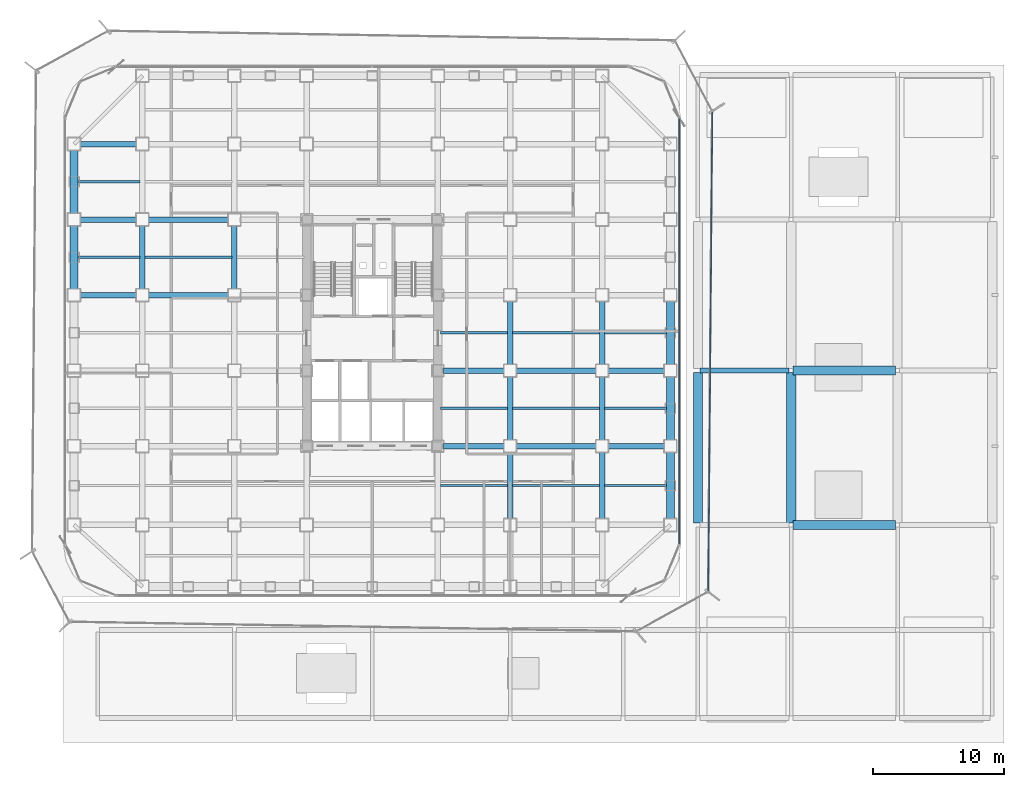
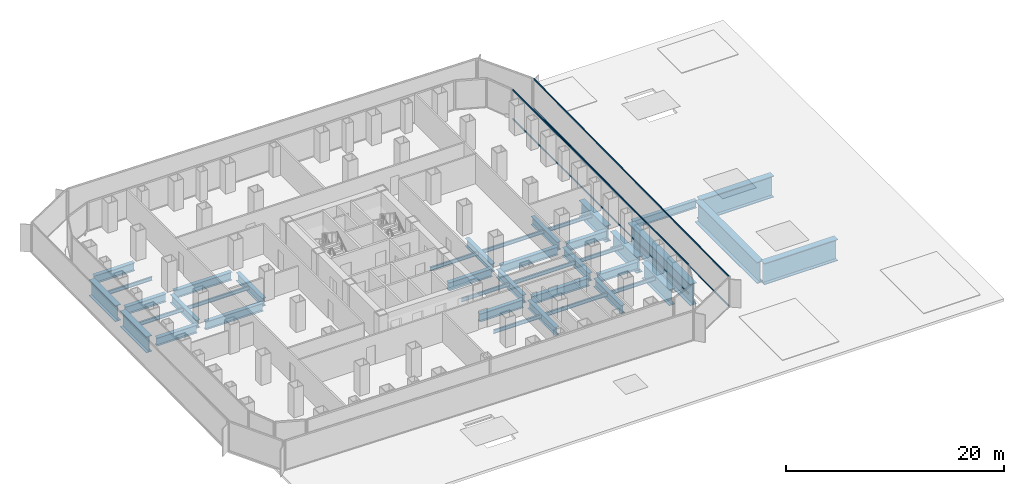
# One storey, part 11 of 27: 41 beams, 4 members, 2 elements without a shape of their own.
"""IFC4 building model written with IfcOpenShell, lengths in metres."""

from ifc_helpers import new_model, si_unit, direction, frame, origin, origin_2d, place, context, subcontext, project, spatial, hollow_rectangle, i_section, extrude, source, transform, mapped, material, layer, layer_set, material_profile, profile_set, type_object, element, aggregate, save


model = new_model("IFC4")

# Units and contexts
model_context = context("Model", 3, precision=1e-05, world=origin(), true_north=direction((0.0, 1.0)))
body_context = subcontext(model_context, "Body", "Model", "MODEL_VIEW")
ifc_project = project(units=[si_unit("LENGTHUNIT", "METRE"), si_unit("AREAUNIT", "SQUARE_METRE"), si_unit("VOLUMEUNIT", "CUBIC_METRE"), si_unit("PLANEANGLEUNIT", "RADIAN"), si_unit("MASSUNIT", "GRAM", prefix="KILO")], contexts=[model_context])

# Site, building, storey
site_placement = place(None, origin())
site = spatial("IfcSite", under=ifc_project, at=site_placement, CompositionType="ELEMENT")
building_placement = place(site_placement, origin())
building = spatial("IfcBuilding", under=site, at=building_placement, Name="Kolveth Station Tower", CompositionType="ELEMENT")
storey_placement = place(building_placement, frame((0.0, 0.0, 22.5)))
storey = spatial("IfcBuildingStorey", under=building, at=storey_placement, Name="L05", CompositionType="ELEMENT", Elevation=22.5)

# Beams
ifc_material_1 = material(Name="Steel S355", Category="steel")
ifc_material_profile_1 = material_profile(ifc_material_1, i_section(OverallWidth=0.41796875, OverallDepth=0.912109375, WebThickness=0.019287109375, FlangeThickness=0.031982421875, at=origin_2d()), Name="W920x342")
ifc_profile_set_1 = profile_set([ifc_material_profile_1], Name="Steel S355")
beam_type_1 = type_object("IfcBeamType", Name="Beam_B1", PredefinedType="BEAM", material=ifc_profile_set_1)
shared_shape_1 = source(origin(), body_context, "Body", "SweptSolid", [
    extrude(i_section(OverallWidth=0.41796875, OverallDepth=0.912109375, WebThickness=0.019287109375, FlangeThickness=0.031982421875, at=origin_2d()), origin(), (0.0, 0.0, 1.0), 4.300048828125),
])
for number, where, z_axis, x_axis, name in (
    (1, (41.449951171875, 11.5, -0.81591796875), (1.0, 0.0, 0.0), (0.0, 1.0, 0.0), "L05 Primary Girder BM-L05-GY115-7"),
    (2, (41.449951171875, 17.25, -0.81591796875), (1.0, 0.0, 0.0), (0.0, 1.0, 0.0), "L05 Primary Girder BM-L05-GY172-7"),
    (3, (1.25, 23.0, -0.81591796875), (1.0, 0.0, 0.0), (0.0, 1.0, 0.0), "L05 Primary Girder BM-L05-GY230-1"),
    (4, (1.25, 28.75, -0.81591796875), (1.0, 0.0, 0.0), (0.0, 1.0, 0.0), "L05 Primary Girder BM-L05-GY287-1"),
    (5, (1.25, 34.5, -0.81591796875), (1.0, 0.0, 0.0), (0.0, 1.0, 0.0), "L05 Primary Girder BM-L05-GY345-1"),
):
    element("IfcBeam", number, at=place(storey_placement, frame(where, z_axis=z_axis, x_axis=x_axis)), inside=storey, type_object=beam_type_1, Name=name, PredefinedType="BEAM", context=body_context, shape_type="MappedRepresentation", body=[
        mapped(shared_shape_1, transform((0.0, 0.0, 0.0), x_axis=(1.0, 0.0, 0.0), y_axis=(0.0, 1.0, 0.0), z_axis=(0.0, 0.0, 1.0), scale=1.0)),
    ])
shared_shape_2 = source(origin(), body_context, "Body", "SweptSolid", [
    extrude(i_section(OverallWidth=0.41796875, OverallDepth=0.912109375, WebThickness=0.019287109375, FlangeThickness=0.031982421875, at=origin_2d()), origin(), (0.0, 0.0, 1.0), 6.10009765625),
])
for number, where, z_axis, x_axis, name in (
    (6, (34.449951171875, 11.5, -0.81591796875), (1.0, 0.0, 0.0), (0.0, 1.0, 0.0), "L05 Primary Girder BM-L05-GY115-6"),
    (7, (34.449951171875, 17.25, -0.81591796875), (1.0, 0.0, 0.0), (0.0, 1.0, 0.0), "L05 Primary Girder BM-L05-GY172-6"),
    (8, (6.449951171875, 23.0, -0.81591796875), (1.0, 0.0, 0.0), (0.0, 1.0, 0.0), "L05 Primary Girder BM-L05-GY230-2"),
    (9, (6.449951171875, 28.75, -0.81591796875), (1.0, 0.0, 0.0), (0.0, 1.0, 0.0), "L05 Primary Girder BM-L05-GY287-2"),
):
    element("IfcBeam", number, at=place(storey_placement, frame(where, z_axis=z_axis, x_axis=x_axis)), inside=storey, type_object=beam_type_1, Name=name, PredefinedType="BEAM", context=body_context, shape_type="MappedRepresentation", body=[
        mapped(shared_shape_2, transform((0.0, 0.0, 0.0), x_axis=(1.0, 0.0, 0.0), y_axis=(0.0, 1.0, 0.0), z_axis=(0.0, 0.0, 1.0), scale=1.0)),
    ])
shared_shape_3 = source(origin(), body_context, "Body", "SweptSolid", [
    extrude(i_section(OverallWidth=0.41796875, OverallDepth=0.912109375, WebThickness=0.019287109375, FlangeThickness=0.031982421875, at=origin_2d()), origin(), (0.0, 0.0, 1.0), 4.650146484375),
])
for number, where, z_axis, x_axis, name in (
    (10, (28.89990234375, 11.5, -0.81591796875), (1.0, 0.0, 0.0), (0.0, 1.0, 0.0), "L05 Primary Girder BM-L05-GY115-5"),
    (11, (28.89990234375, 17.25, -0.81591796875), (1.0, 0.0, 0.0), (0.0, 1.0, 0.0), "L05 Primary Girder BM-L05-GY172-5"),
):
    element("IfcBeam", number, at=place(storey_placement, frame(where, z_axis=z_axis, x_axis=x_axis)), inside=storey, type_object=beam_type_1, Name=name, PredefinedType="BEAM", context=body_context, shape_type="MappedRepresentation", body=[
        mapped(shared_shape_3, transform((0.0, 0.0, 0.0), x_axis=(1.0, 0.0, 0.0), y_axis=(0.0, 1.0, 0.0), z_axis=(0.0, 0.0, 1.0), scale=1.0)),
    ])
shared_shape_4 = source(origin(), body_context, "Body", "SweptSolid", [
    extrude(i_section(OverallWidth=0.41796875, OverallDepth=0.912109375, WebThickness=0.019287109375, FlangeThickness=0.031982421875, at=origin_2d()), origin(), (0.0, 0.0, 1.0), 5.10009765625),
])
for number, where, z_axis, x_axis, name in (
    (12, (34.0, 5.949951171875, -0.81591796875), (0.0, 1.0, 0.0), (-1.0, 0.0, 0.0), "L05 Primary Girder BM-L05-GX340-2"),
    (13, (41.0, 5.949951171875, -0.81591796875), (0.0, 1.0, 0.0), (-1.0, 0.0, 0.0), "L05 Primary Girder BM-L05-GX410-2"),
):
    element("IfcBeam", number, at=place(storey_placement, frame(where, z_axis=z_axis, x_axis=x_axis)), inside=storey, type_object=beam_type_1, Name=name, PredefinedType="BEAM", context=body_context, shape_type="MappedRepresentation", body=[
        mapped(shared_shape_4, transform((0.0, 0.0, 0.0), x_axis=(1.0, 0.0, 0.0), y_axis=(0.0, 1.0, 0.0), z_axis=(0.0, 0.0, 1.0), scale=1.0)),
    ])
shared_shape_5 = source(origin(), body_context, "Body", "SweptSolid", [
    extrude(i_section(OverallWidth=0.41796875, OverallDepth=0.912109375, WebThickness=0.019287109375, FlangeThickness=0.031982421875, at=origin_2d()), origin(), (0.0, 0.0, 1.0), 4.85009765625),
])
for number, where, z_axis, x_axis, name in (
    (14, (6.0, 23.449951171875, -0.81591796875), (0.0, 1.0, 0.0), (-1.0, 0.0, 0.0), "L05 Primary Girder BM-L05-GX60-5"),
    (15, (13.0, 23.449951171875, -0.81591796875), (0.0, 1.0, 0.0), (-1.0, 0.0, 0.0), "L05 Primary Girder BM-L05-GX130-5"),
    (16, (34.0, 11.949951171875, -0.81591796875), (0.0, 1.0, 0.0), (-1.0, 0.0, 0.0), "L05 Primary Girder BM-L05-GX340-3"),
    (17, (34.0, 17.699951171875, -0.81591796875), (0.0, 1.0, 0.0), (-1.0, 0.0, 0.0), "L05 Primary Girder BM-L05-GX340-4"),
    (18, (41.0, 11.949951171875, -0.81591796875), (0.0, 1.0, 0.0), (-1.0, 0.0, 0.0), "L05 Primary Girder BM-L05-GX410-3"),
    (19, (41.0, 17.699951171875, -0.81591796875), (0.0, 1.0, 0.0), (-1.0, 0.0, 0.0), "L05 Primary Girder BM-L05-GX410-4"),
):
    element("IfcBeam", number, at=place(storey_placement, frame(where, z_axis=z_axis, x_axis=x_axis)), inside=storey, type_object=beam_type_1, Name=name, PredefinedType="BEAM", context=body_context, shape_type="MappedRepresentation", body=[
        mapped(shared_shape_5, transform((0.0, 0.0, 0.0), x_axis=(1.0, 0.0, 0.0), y_axis=(0.0, 1.0, 0.0), z_axis=(0.0, 0.0, 1.0), scale=1.0)),
    ])
ifc_material_profile_2 = material_profile(ifc_material_1, i_section(OverallWidth=0.177978515625, OverallDepth=0.406982421875, WebThickness=0.0078125, FlangeThickness=0.0126953125, at=origin_2d()), Name="W410x60")
ifc_profile_set_2 = profile_set([ifc_material_profile_2], Name="Steel S355")
beam_type_2 = type_object("IfcBeamType", Name="Beam_J1", PredefinedType="JOIST", material=ifc_profile_set_2)
shared_shape_6 = source(origin(), body_context, "Body", "SweptSolid", [
    extrude(i_section(OverallWidth=0.177978515625, OverallDepth=0.406982421875, WebThickness=0.0078125, FlangeThickness=0.0126953125, at=origin_2d()), origin(), (0.0, 0.0, 1.0), 6.60986328125),
])
for number, where, z_axis, x_axis, name in (
    (20, (6.195068359375, 25.875, -0.5634765625), (1.0, 0.0, 0.0), (0.0, 1.0, 0.0), "L05 Secondary Joist JST-L05-2-5"),
    (21, (34.195068359375, 8.5, -0.5634765625), (1.0, 0.0, 0.0), (0.0, 1.0, 0.0), "L05 Secondary Joist JST-L05-6-2"),
    (22, (34.195068359375, 14.375, -0.5634765625), (1.0, 0.0, 0.0), (0.0, 1.0, 0.0), "L05 Secondary Joist JST-L05-6-3"),
    (23, (34.195068359375, 20.125, -0.5634765625), (1.0, 0.0, 0.0), (0.0, 1.0, 0.0), "L05 Secondary Joist JST-L05-6-4"),
):
    element("IfcBeam", number, at=place(storey_placement, frame(where, z_axis=z_axis, x_axis=x_axis)), inside=storey, type_object=beam_type_2, Name=name, PredefinedType="JOIST", context=body_context, shape_type="MappedRepresentation", body=[
        mapped(shared_shape_6, transform((0.0, 0.0, 0.0), x_axis=(1.0, 0.0, 0.0), y_axis=(0.0, 1.0, 0.0), z_axis=(0.0, 0.0, 1.0), scale=1.0)),
    ])
shared_shape_7 = source(origin(), body_context, "Body", "SweptSolid", [
    extrude(i_section(OverallWidth=0.177978515625, OverallDepth=0.406982421875, WebThickness=0.0078125, FlangeThickness=0.0126953125, at=origin_2d()), origin(), (0.0, 0.0, 1.0), 5.10986328125),
])
for number, where, z_axis, x_axis, name in (
    (24, (28.695068359375, 8.5, -0.5634765625), (1.0, 0.0, 0.0), (0.0, 1.0, 0.0), "L05 Secondary Joist JST-L05-5-2"),
    (25, (28.695068359375, 14.375, -0.5634765625), (1.0, 0.0, 0.0), (0.0, 1.0, 0.0), "L05 Secondary Joist JST-L05-5-3"),
    (26, (28.695068359375, 20.125, -0.5634765625), (1.0, 0.0, 0.0), (0.0, 1.0, 0.0), "L05 Secondary Joist JST-L05-5-4"),
):
    element("IfcBeam", number, at=place(storey_placement, frame(where, z_axis=z_axis, x_axis=x_axis)), inside=storey, type_object=beam_type_2, Name=name, PredefinedType="JOIST", context=body_context, shape_type="MappedRepresentation", body=[
        mapped(shared_shape_7, transform((0.0, 0.0, 0.0), x_axis=(1.0, 0.0, 0.0), y_axis=(0.0, 1.0, 0.0), z_axis=(0.0, 0.0, 1.0), scale=1.0)),
    ])
ifc_material_profile_3 = material_profile(ifc_material_1, i_section(OverallWidth=0.40087890625, OverallDepth=0.85107421875, WebThickness=0.01611328125, FlangeThickness=0.025390625, at=origin_2d()), Name="W840x226")
ifc_profile_set_3 = profile_set([ifc_material_profile_3], Name="Steel S355")
beam_type_3 = type_object("IfcBeamType", Name="Beam_B2", PredefinedType="BEAM", material=ifc_profile_set_3)
shared_shape_8 = source(origin(), body_context, "Body", "SweptSolid", [
    extrude(i_section(OverallWidth=0.40087890625, OverallDepth=0.85107421875, WebThickness=0.01611328125, FlangeThickness=0.025390625, at=origin_2d()), origin(), (0.0, 0.0, 1.0), 6.800048828125),
])
beam_1_placement = place(storey_placement, frame((48.449951171875, 17.25, -0.7255859375), z_axis=(1.0, 0.0, 0.0), x_axis=(0.0, 1.0, 0.0)))
element("IfcBeam", 27, at=beam_1_placement, inside=storey, type_object=beam_type_3, Name="L05 Station Portal Girder SBM-L05-EW-4-1", PredefinedType="BEAM", context=body_context, shape_type="MappedRepresentation", body=[
    mapped(shared_shape_8, transform((0.0, 0.0, 0.0), x_axis=(1.0, 0.0, 0.0), y_axis=(0.0, 1.0, 0.0), z_axis=(0.0, 0.0, 1.0), scale=1.0)),
])
ifc_material_2 = material(Name="Steel S460", Category="steel")
ifc_material_profile_4 = material_profile(ifc_material_2, i_section(OverallWidth=0.60009765625, OverallDepth=1.800048828125, WebThickness=0.031982421875, FlangeThickness=0.06005859375, at=origin_2d()), Name="PG1800x600x60")
ifc_profile_set_4 = profile_set([ifc_material_profile_4], Name="Steel S460")
beam_type_4 = type_object("IfcBeamType", Name="Beam_TG2", PredefinedType="BEAM", material=ifc_profile_set_4)
shared_shape_9 = source(origin(), body_context, "Body", "SweptSolid", [
    extrude(i_section(OverallWidth=0.60009765625, OverallDepth=1.800048828125, WebThickness=0.031982421875, FlangeThickness=0.06005859375, at=origin_2d()), origin(), (0.0, 0.0, 1.0), 5.10009765625),
])
beam_2_placement = place(storey_placement, frame((46.199951171875, 5.949951171875, -1.260009765625), z_axis=(0.0, 1.0, 0.0), x_axis=(-1.0, 0.0, 0.0)))
element("IfcBeam", 28, at=beam_2_placement, inside=storey, type_object=beam_type_4, Name="L05 Transfer Girder BM-L05-PE-1", PredefinedType="BEAM", context=body_context, shape_type="MappedRepresentation", body=[
    mapped(shared_shape_9, transform((0.0, 0.0, 0.0), x_axis=(1.0, 0.0, 0.0), y_axis=(0.0, 1.0, 0.0), z_axis=(0.0, 0.0, 1.0), scale=1.0)),
])
shared_shape_10 = source(origin(), body_context, "Body", "SweptSolid", [
    extrude(i_section(OverallWidth=0.60009765625, OverallDepth=1.800048828125, WebThickness=0.031982421875, FlangeThickness=0.06005859375, at=origin_2d()), origin(), (0.0, 0.0, 1.0), 4.85009765625),
])
for number, where, z_axis, x_axis, name in (
    (29, (0.800048828125, 23.449951171875, -1.260009765625), (0.0, 1.0, 0.0), (-1.0, 0.0, 0.0), "L05 Transfer Girder BM-L05-PW-4"),
    (30, (0.800048828125, 29.199951171875, -1.260009765625), (0.0, 1.0, 0.0), (-1.0, 0.0, 0.0), "L05 Transfer Girder BM-L05-PW-5"),
    (31, (46.199951171875, 11.949951171875, -1.260009765625), (0.0, 1.0, 0.0), (-1.0, 0.0, 0.0), "L05 Transfer Girder BM-L05-PE-2"),
    (32, (46.199951171875, 17.699951171875, -1.260009765625), (0.0, 1.0, 0.0), (-1.0, 0.0, 0.0), "L05 Transfer Girder BM-L05-PE-3"),
):
    element("IfcBeam", number, at=place(storey_placement, frame(where, z_axis=z_axis, x_axis=x_axis)), inside=storey, type_object=beam_type_4, Name=name, PredefinedType="BEAM", context=body_context, shape_type="MappedRepresentation", body=[
        mapped(shared_shape_10, transform((0.0, 0.0, 0.0), x_axis=(1.0, 0.0, 0.0), y_axis=(0.0, 1.0, 0.0), z_axis=(0.0, 0.0, 1.0), scale=1.0)),
    ])
shared_shape_11 = source(origin(), body_context, "Body", "SweptSolid", [
    extrude(i_section(OverallWidth=0.177978515625, OverallDepth=0.406982421875, WebThickness=0.0078125, FlangeThickness=0.0126953125, at=origin_2d()), origin(), (0.0, 0.0, 1.0), 4.70703125),
])
for number, where, z_axis, x_axis, name in (
    (33, (1.097900390625, 25.875, -0.5634765625), (1.0, 0.0, 0.0), (0.0, 1.0, 0.0), "L05 Secondary Joist JST-L05-1-5"),
    (34, (1.097900390625, 31.625, -0.5634765625), (1.0, 0.0, 0.0), (0.0, 1.0, 0.0), "L05 Secondary Joist JST-L05-1-6"),
    (35, (41.195068359375, 8.5, -0.5634765625), (1.0, 0.0, 0.0), (0.0, 1.0, 0.0), "L05 Secondary Joist JST-L05-7-2"),
    (36, (41.195068359375, 14.375, -0.5634765625), (1.0, 0.0, 0.0), (0.0, 1.0, 0.0), "L05 Secondary Joist JST-L05-7-3"),
    (37, (41.195068359375, 20.125, -0.5634765625), (1.0, 0.0, 0.0), (0.0, 1.0, 0.0), "L05 Secondary Joist JST-L05-7-4"),
):
    element("IfcBeam", number, at=place(storey_placement, frame(where, z_axis=z_axis, x_axis=x_axis)), inside=storey, type_object=beam_type_2, Name=name, PredefinedType="JOIST", context=body_context, shape_type="MappedRepresentation", body=[
        mapped(shared_shape_11, transform((0.0, 0.0, 0.0), x_axis=(1.0, 0.0, 0.0), y_axis=(0.0, 1.0, 0.0), z_axis=(0.0, 0.0, 1.0), scale=1.0)),
    ])
ifc_material_profile_5 = material_profile(ifc_material_2, i_section(OverallWidth=0.699951171875, OverallDepth=2.39990234375, WebThickness=0.0400390625, FlangeThickness=0.070068359375, at=origin_2d()), Name="PG2400x700x70")
ifc_profile_set_5 = profile_set([ifc_material_profile_5], Name="Steel S460")
beam_type_5 = type_object("IfcBeamType", Name="Beam_TG1", PredefinedType="BEAM", material=ifc_profile_set_5)
shared_shape_12 = source(origin(), body_context, "Body", "SweptSolid", [
    extrude(i_section(OverallWidth=0.699951171875, OverallDepth=2.39990234375, WebThickness=0.0400390625, FlangeThickness=0.070068359375, at=origin_2d()), origin(), (0.0, 0.0, 1.0), 7.800048828125),
])
for number, where, z_axis, x_axis, name in (
    (38, (55.550048828125, 5.5, -1.5), (1.0, 0.0, 0.0), (0.0, 1.0, 0.0), "L05 Station Portal Girder SBM-L05-EW-3-2"),
    (39, (55.550048828125, 17.25, -1.5), (1.0, 0.0, 0.0), (0.0, 1.0, 0.0), "L05 Station Portal Girder SBM-L05-EW-4-2"),
):
    element("IfcBeam", number, at=place(storey_placement, frame(where, z_axis=z_axis, x_axis=x_axis)), inside=storey, type_object=beam_type_5, Name=name, PredefinedType="BEAM", context=body_context, shape_type="MappedRepresentation", body=[
        mapped(shared_shape_12, transform((0.0, 0.0, 0.0), x_axis=(1.0, 0.0, 0.0), y_axis=(0.0, 1.0, 0.0), z_axis=(0.0, 0.0, 1.0), scale=1.0)),
    ])
shared_shape_13 = source(origin(), body_context, "Body", "SweptSolid", [
    extrude(i_section(OverallWidth=0.699951171875, OverallDepth=2.39990234375, WebThickness=0.0400390625, FlangeThickness=0.070068359375, at=origin_2d()), origin(), (0.0, 0.0, 1.0), 11.4501953125),
])
for number, where, z_axis, x_axis, name in (
    (40, (48.300048828125, 5.64990234375, -1.5), (0.0, 1.0, 0.0), (-1.0, 0.0, 0.0), "L05 Station Spine Girder SBM-L05-NS-1-3"),
    (41, (55.39990234375, 5.64990234375, -1.5), (0.0, 1.0, 0.0), (-1.0, 0.0, 0.0), "L05 Station Spine Girder SBM-L05-NS-2-3"),
):
    element("IfcBeam", number, at=place(storey_placement, frame(where, z_axis=z_axis, x_axis=x_axis)), inside=storey, type_object=beam_type_5, Name=name, PredefinedType="BEAM", context=body_context, shape_type="MappedRepresentation", body=[
        mapped(shared_shape_13, transform((0.0, 0.0, 0.0), x_axis=(1.0, 0.0, 0.0), y_axis=(0.0, 1.0, 0.0), z_axis=(0.0, 0.0, 1.0), scale=1.0)),
    ])

# Curtain wall, members
ifc_material_3 = material(Name="Aluminium 6063-T6 and low-E dark glass", Category="aluminium")
ifc_layer_1 = layer(ifc_material_3, 0.179931640625)
ifc_layer_set_1 = layer_set([ifc_layer_1], Name="Aluminium 6063-T6 and low-E dark glass")
curtain_wall_type_1 = type_object("IfcCurtainWallType", Name="CurtainWall_CW-Z1", PredefinedType="NOTDEFINED", material=ifc_layer_set_1)
curtain_wall_1_placement = place(storey_placement, origin())
curtain_wall_1 = element("IfcCurtainWall", 42, at=curtain_wall_1_placement, inside=storey, type_object=curtain_wall_type_1, Name="L05 Inner Thermal Curtain Wall 3", PredefinedType="NOTDEFINED")
ifc_material_4 = material(Name="Black anodized aluminium 6063-T6", Category="aluminium")
ifc_material_profile_6 = material_profile(ifc_material_4, hollow_rectangle(XDim=0.074951171875, YDim=0.159912109375, WallThickness=0.0048828125, at=origin_2d()), Name="ALU-75x160x5")
ifc_profile_set_6 = profile_set([ifc_material_profile_6], Name="Black anodized aluminium 6063-T6")
member_type_1 = type_object("IfcMemberType", Name="Transom_TR1", PredefinedType="USERDEFINED", material=ifc_profile_set_6)
shared_shape_14 = source(origin(), body_context, "Body", "SweptSolid", [
    extrude(hollow_rectangle(XDim=0.074951171875, YDim=0.159912109375, WallThickness=0.0048828125, at=origin_2d()), origin(), (0.0, 0.0, 1.0), 32.35009765625),
])
member_1_placement = place(storey_placement, frame((46.8798828125, 4.074951171875, 0.03759765625), z_axis=(0.0, 1.0, 0.0), x_axis=(-1.0, 0.0, 0.0)))
member_1 = element("IfcMember", 43, at=member_1_placement, type_object=member_type_1, Name="CW-Z1 transom 1.1", ObjectType="TRANSOM", PredefinedType="USERDEFINED", context=body_context, shape_type="MappedRepresentation", body=[
    mapped(shared_shape_14, transform((0.0, 0.0, 0.0), x_axis=(1.0, 0.0, 0.0), y_axis=(0.0, 1.0, 0.0), z_axis=(0.0, 0.0, 1.0), scale=1.0)),
])
member_2_placement = place(storey_placement, frame((46.8798828125, 4.074951171875, 3.282470703125), z_axis=(0.0, 1.0, 0.0), x_axis=(-1.0, 0.0, 0.0)))
member_2 = element("IfcMember", 44, at=member_2_placement, type_object=member_type_1, Name="CW-Z1 transom 1.2", ObjectType="TRANSOM", PredefinedType="USERDEFINED", context=body_context, shape_type="MappedRepresentation", body=[
    mapped(shared_shape_14, transform((0.0, 0.0, 0.0), x_axis=(1.0, 0.0, 0.0), y_axis=(0.0, 1.0, 0.0), z_axis=(0.0, 0.0, 1.0), scale=1.0)),
])
aggregate(curtain_wall_1, [member_1, member_2])

ifc_material_5 = material(Name="Black anodized aluminium 6063-T6 and dark solar glass", Category="aluminium")
ifc_layer_2 = layer(ifc_material_5, 0.159912109375)
ifc_layer_set_2 = layer_set([ifc_layer_2], Name="Black anodized aluminium 6063-T6 and dark solar glass")
curtain_wall_type_2 = type_object("IfcCurtainWallType", Name="OUTER SKIN CW-OS", PredefinedType="NOTDEFINED", material=ifc_layer_set_2)
curtain_wall_2_placement = place(storey_placement, origin())
curtain_wall_2 = element("IfcCurtainWall", 45, at=curtain_wall_2_placement, inside=storey, type_object=curtain_wall_type_2, Name="L05 Outer Ventilated Skin Curtain Wall 2", PredefinedType="NOTDEFINED")
ifc_material_profile_7 = material_profile(ifc_material_4, hollow_rectangle(XDim=0.080078125, YDim=0.14990234375, WallThickness=0.0048828125, at=origin_2d()), Name="ALU-80x150x5")
ifc_profile_set_7 = profile_set([ifc_material_profile_7], Name="Black anodized aluminium 6063-T6")
member_type_2 = type_object("IfcMemberType", Name="Transom_TR-OS", PredefinedType="USERDEFINED", material=ifc_profile_set_7)
shared_shape_15 = source(origin(), body_context, "Body", "SweptSolid", [
    extrude(hollow_rectangle(XDim=0.080078125, YDim=0.14990234375, WallThickness=0.0048828125, at=origin_2d()), origin(), (0.0, 0.0, 1.0), 36.416748046875),
])
member_3_placement = place(storey_placement, frame((49.089599609375, 0.50439453125, 0.0400390625), z_axis=(0.008339859325, 0.999965222768, 0.0), x_axis=(-0.999965222768, 0.008339859325, 0.0)))
member_3 = element("IfcMember", 46, at=member_3_placement, type_object=member_type_2, Name="CW-OS transom 1.1", ObjectType="TRANSOM", PredefinedType="USERDEFINED", context=body_context, shape_type="MappedRepresentation", body=[
    mapped(shared_shape_15, transform((0.0, 0.0, 0.0), x_axis=(1.0, 0.0, 0.0), y_axis=(0.0, 1.0, 0.0), z_axis=(0.0, 0.0, 1.0), scale=1.0)),
])
member_4_placement = place(storey_placement, frame((49.089599609375, 0.50439453125, 3.35009765625), z_axis=(0.008339859325, 0.999965222768, 0.0), x_axis=(-0.999965222768, 0.008339859325, 0.0)))
member_4 = element("IfcMember", 47, at=member_4_placement, type_object=member_type_2, Name="CW-OS transom 1.2", ObjectType="TRANSOM", PredefinedType="USERDEFINED", context=body_context, shape_type="MappedRepresentation", body=[
    mapped(shared_shape_15, transform((0.0, 0.0, 0.0), x_axis=(1.0, 0.0, 0.0), y_axis=(0.0, 1.0, 0.0), z_axis=(0.0, 0.0, 1.0), scale=1.0)),
])
aggregate(curtain_wall_2, [member_3, member_4])

save(model, "model.ifc")
